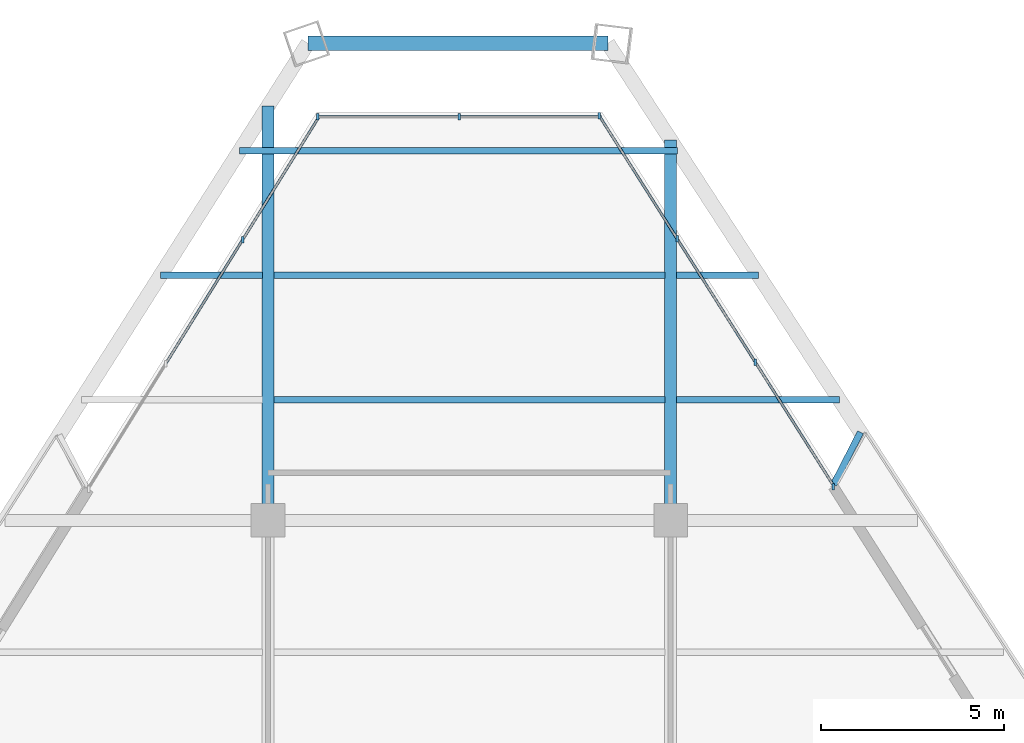
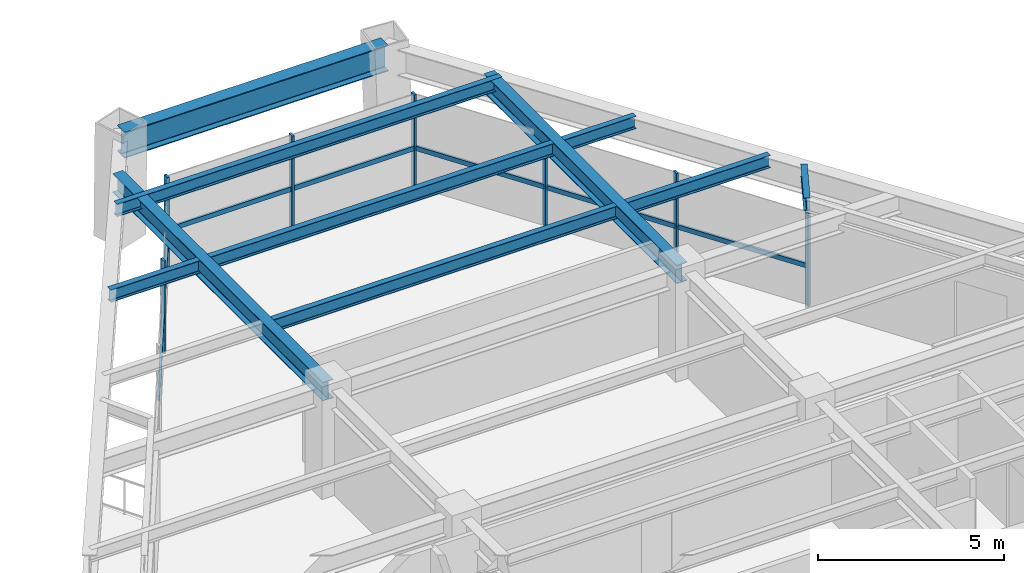
# One storey, part 9 of 15: 14 members, 10 beams, 3 elements without a shape of their own.
"""IFC4 building model written with IfcOpenShell, lengths in metres."""

from ifc_helpers import new_model, si_unit, direction, frame, origin, origin_2d, place, context, subcontext, project, spatial, rectangle, i_section, extrude, source, transform, mapped, material, material_profile, profile_set, type_object, element, aggregate, save


model = new_model("IFC4")

# Units and contexts
model_context = context("Model", 3, precision=1e-05, world=origin(), true_north=direction((0.0, 1.0)))
body_context = subcontext(model_context, "Body", "Model", "MODEL_VIEW")
ifc_project = project(units=[si_unit("LENGTHUNIT", "METRE"), si_unit("AREAUNIT", "SQUARE_METRE"), si_unit("VOLUMEUNIT", "CUBIC_METRE"), si_unit("PLANEANGLEUNIT", "RADIAN"), si_unit("MASSUNIT", "GRAM", prefix="KILO")], contexts=[model_context])

# Site, building, storey
site_placement = place(None, origin())
site = spatial("IfcSite", under=ifc_project, at=site_placement, CompositionType="ELEMENT")
building_placement = place(site_placement, origin())
building = spatial("IfcBuilding", under=site, at=building_placement, Name="Varnakhor Terracotta Tower", CompositionType="ELEMENT")
storey_placement = place(building_placement, frame((0.0, 0.0, 185.800048828125)))
storey = spatial("IfcBuildingStorey", under=building, at=storey_placement, Name="L47", CompositionType="ELEMENT", Elevation=185.800048828125)

# Beams
ifc_material_1 = material(Name="Steel S355", Category="steel")
ifc_material_profile_1 = material_profile(ifc_material_1, i_section(OverallWidth=0.179931640625, OverallDepth=0.4130859375, WebThickness=0.009765625, FlangeThickness=0.01611328125, FilletRadius=0.01806640625, at=origin_2d()), Name="W16X50")
ifc_profile_set_1 = profile_set([ifc_material_profile_1], Name="Steel S355")
beam_type_1 = type_object("IfcBeamType", Name="JST-W16X50", PredefinedType="JOIST", material=ifc_profile_set_1)
shared_shape_1 = source(origin(), body_context, "Body", "SweptSolid", [
    extrude(i_section(OverallWidth=0.179931640625, OverallDepth=0.4130859375, WebThickness=0.009765625, FlangeThickness=0.01611328125, FilletRadius=0.01806640625, at=origin_2d()), origin(), (0.0, 0.0, 1.0), 10.68310546875),
])
for number, where, z_axis, x_axis, name in (
    (1, (-5.341552734375, 34.800048828125, 3.263427734375), (1.0, 0.0, 0.0), (0.0, 1.0, 0.0), "L47 Composite Floor Joist 7-2"),
    (2, (-5.341552734375, 38.199951171875, 3.263427734375), (1.0, 0.0, 0.0), (0.0, 1.0, 0.0), "L47 Composite Floor Joist 8-2"),
):
    element("IfcBeam", number, at=place(storey_placement, frame(where, z_axis=z_axis, x_axis=x_axis)), inside=storey, type_object=beam_type_1, Name=name, PredefinedType="JOIST", context=body_context, shape_type="MappedRepresentation", body=[
        mapped(shared_shape_1, transform((0.0, 0.0, 0.0), scale=1.0)),
    ])
ifc_material_profile_2 = material_profile(ifc_material_1, i_section(OverallWidth=0.39990234375, OverallDepth=0.85498046875, WebThickness=0.01806640625, FlangeThickness=0.029052734375, FilletRadius=0.01806640625, at=origin_2d()), Name="W33X201")
ifc_profile_set_2 = profile_set([ifc_material_profile_2], Name="Steel S355")
beam_type_2 = type_object("IfcBeamType", Name="BM-W33X201", PredefinedType="BEAM", material=ifc_profile_set_2)
shared_shape_2 = source(origin(), body_context, "Body", "SweptSolid", [
    extrude(i_section(OverallWidth=0.39990234375, OverallDepth=0.85498046875, WebThickness=0.01806640625, FlangeThickness=0.029052734375, FilletRadius=0.01806640625, at=origin_2d()), origin(), (0.0, 0.0, 1.0), 8.19482421875),
])
beam_1_placement = place(storey_placement, frame((3.783203125, 44.53564453125, 3.04248046875), z_axis=(-1.0, 0.0, 0.0), x_axis=(0.0, -1.0, 0.0)))
element("IfcBeam", 3, at=beam_1_placement, inside=storey, type_object=beam_type_2, Name="L47 Perimeter Spandrel 5", PredefinedType="BEAM", context=body_context, shape_type="MappedRepresentation", body=[
    mapped(shared_shape_2, transform((0.0, 0.0, 0.0), scale=1.0)),
])
ifc_material_profile_3 = material_profile(ifc_material_1, i_section(OverallWidth=0.324951171875, OverallDepth=0.615966796875, WebThickness=0.013916015625, FlangeThickness=0.02197265625, FilletRadius=0.01806640625, at=origin_2d()), Name="W24X117")
ifc_profile_set_3 = profile_set([ifc_material_profile_3], Name="Steel S355")
beam_type_3 = type_object("IfcBeamType", Name="BM-W24X117", PredefinedType="BEAM", material=ifc_profile_set_3)
shared_shape_3 = source(origin(), body_context, "Body", "SweptSolid", [
    extrude(i_section(OverallWidth=0.324951171875, OverallDepth=0.615966796875, WebThickness=0.013916015625, FlangeThickness=0.02197265625, FilletRadius=0.01806640625, at=origin_2d()), origin(), (0.0, 0.0, 1.0), 11.32275390625),
])
beam_2_placement = place(storey_placement, frame((-5.5, 31.5, 3.161865234375), z_axis=(0.0, 1.0, 0.0), x_axis=(-1.0, 0.0, 0.0)))
element("IfcBeam", 4, at=beam_2_placement, inside=storey, type_object=beam_type_3, Name="L47 Primary Girder NS3-W", PredefinedType="BEAM", context=body_context, shape_type="MappedRepresentation", body=[
    mapped(shared_shape_3, transform((0.0, 0.0, 0.0), scale=1.0)),
])
shared_shape_4 = source(origin(), body_context, "Body", "SweptSolid", [
    extrude(i_section(OverallWidth=0.324951171875, OverallDepth=0.615966796875, WebThickness=0.013916015625, FlangeThickness=0.02197265625, FilletRadius=0.01806640625, at=origin_2d()), origin(), (0.0, 0.0, 1.0), 10.392578125),
])
beam_3_placement = place(storey_placement, frame((5.5, 31.5, 3.161865234375), z_axis=(0.0, 1.0, 0.0), x_axis=(-1.0, 0.0, 0.0)))
element("IfcBeam", 5, at=beam_3_placement, inside=storey, type_object=beam_type_3, Name="L47 Primary Girder NS3-E", PredefinedType="BEAM", context=body_context, shape_type="MappedRepresentation", body=[
    mapped(shared_shape_4, transform((0.0, 0.0, 0.0), scale=1.0)),
])
shared_shape_5 = source(origin(), body_context, "Body", "SweptSolid", [
    extrude(i_section(OverallWidth=0.179931640625, OverallDepth=0.4130859375, WebThickness=0.009765625, FlangeThickness=0.01611328125, FilletRadius=0.01806640625, at=origin_2d()), origin(), (0.0, 0.0, 1.0), 4.4482421875),
])
beam_4_placement = place(storey_placement, frame((5.658447265625, 34.800048828125, 3.263427734375), z_axis=(1.0, 0.0, 0.0), x_axis=(0.0, 1.0, 0.0)))
element("IfcBeam", 6, at=beam_4_placement, inside=storey, type_object=beam_type_1, Name="L47 Composite Floor Joist 7-3", PredefinedType="JOIST", context=body_context, shape_type="MappedRepresentation", body=[
    mapped(shared_shape_5, transform((0.0, 0.0, 0.0), scale=1.0)),
])
shared_shape_6 = source(origin(), body_context, "Body", "SweptSolid", [
    extrude(i_section(OverallWidth=0.179931640625, OverallDepth=0.4130859375, WebThickness=0.009765625, FlangeThickness=0.01611328125, FilletRadius=0.01806640625, at=origin_2d()), origin(), (0.0, 0.0, 1.0), 2.779052734375),
])
beam_5_placement = place(storey_placement, frame((-8.4375, 38.199951171875, 3.263427734375), z_axis=(1.0, 0.0, 0.0), x_axis=(0.0, 1.0, 0.0)))
element("IfcBeam", 7, at=beam_5_placement, inside=storey, type_object=beam_type_1, Name="L47 Composite Floor Joist 8-1", PredefinedType="JOIST", context=body_context, shape_type="MappedRepresentation", body=[
    mapped(shared_shape_6, transform((0.0, 0.0, 0.0), scale=1.0)),
])
shared_shape_7 = source(origin(), body_context, "Body", "SweptSolid", [
    extrude(i_section(OverallWidth=0.179931640625, OverallDepth=0.4130859375, WebThickness=0.009765625, FlangeThickness=0.01611328125, FilletRadius=0.01806640625, at=origin_2d()), origin(), (0.0, 0.0, 1.0), 2.23974609375),
])
beam_6_placement = place(storey_placement, frame((5.658447265625, 38.199951171875, 3.263427734375), z_axis=(1.0, 0.0, 0.0), x_axis=(0.0, 1.0, 0.0)))
element("IfcBeam", 8, at=beam_6_placement, inside=storey, type_object=beam_type_1, Name="L47 Composite Floor Joist 8-3", PredefinedType="JOIST", context=body_context, shape_type="MappedRepresentation", body=[
    mapped(shared_shape_7, transform((0.0, 0.0, 0.0), scale=1.0)),
])
shared_shape_8 = source(origin(), body_context, "Body", "SweptSolid", [
    extrude(i_section(OverallWidth=0.179931640625, OverallDepth=0.4130859375, WebThickness=0.009765625, FlangeThickness=0.01611328125, FilletRadius=0.01806640625, at=origin_2d()), origin(), (0.0, 0.0, 1.0), 11.967041015625),
])
beam_7_placement = place(storey_placement, frame((-6.277099609375, 41.60009765625, 3.263427734375), z_axis=(1.0, 0.0, 0.0), x_axis=(0.0, 1.0, 0.0)))
element("IfcBeam", 9, at=beam_7_placement, inside=storey, type_object=beam_type_1, Name="L47 Composite Floor Joist 9-1", PredefinedType="JOIST", context=body_context, shape_type="MappedRepresentation", body=[
    mapped(shared_shape_8, transform((0.0, 0.0, 0.0), scale=1.0)),
])
ifc_material_profile_4 = material_profile(ifc_material_1, i_section(OverallWidth=0.179931640625, OverallDepth=0.39990234375, WebThickness=0.008544921875, FlangeThickness=0.013427734375, FilletRadius=0.01806640625, at=origin_2d()), Name="IPE400")
ifc_profile_set_4 = profile_set([ifc_material_profile_4], Name="Steel S355")
beam_type_4 = type_object("IfcBeamType", Name="JST-IPE400", PredefinedType="JOIST", material=ifc_profile_set_4)
shared_shape_9 = source(origin(), body_context, "Body", "SweptSolid", [
    extrude(i_section(OverallWidth=0.179931640625, OverallDepth=0.39990234375, WebThickness=0.008544921875, FlangeThickness=0.013427734375, FilletRadius=0.01806640625, at=origin_2d()), origin(), (0.0, 0.0, 1.0), 1.609375),
])
beam_8_placement = place(storey_placement, frame((9.951416015625, 32.4755859375, 3.27001953125), z_axis=(0.456593793569, 0.889675282153, 0.0), x_axis=(-0.889675282153, 0.456593793569, 0.0)))
element("IfcBeam", 10, at=beam_8_placement, inside=storey, type_object=beam_type_4, Name="L48 E Loggia Tie Beam 1", PredefinedType="JOIST", context=body_context, shape_type="MappedRepresentation", body=[
    mapped(shared_shape_9, transform((0.0, 0.0, 0.0), scale=1.0)),
])

# Curtain wall, member
ifc_material_2 = material(Name="Anodised Aluminium Curtain Wall System", Category="aluminium")
curtain_wall_type = type_object("IfcCurtainWallType", Name="CW-SYS-MID-OFFICE", PredefinedType="NOTDEFINED", material=ifc_material_2)
curtain_wall_1_placement = place(storey_placement, origin())
curtain_wall_1 = element("IfcCurtainWall", 11, at=curtain_wall_1_placement, inside=storey, type_object=curtain_wall_type, Name="L47 W Facet Curtain Wall 2", PredefinedType="NOTDEFINED")
ifc_material_3 = material(Name="Anodised Aluminium 6063-T6", Category="aluminium")
ifc_material_profile_5 = material_profile(ifc_material_3, rectangle(XDim=0.070068359375, YDim=0.175048828125, at=origin_2d()), Name="ALU MULLION 70x175")
ifc_profile_set_5 = profile_set([ifc_material_profile_5], Name="Anodised Aluminium 6063-T6")
member_type_1 = type_object("IfcMemberType", Name="CWM-03", PredefinedType="MULLION", material=ifc_profile_set_5)
shared_shape_10 = source(origin(), body_context, "Body", "SweptSolid", [
    extrude(rectangle(XDim=0.070068359375, YDim=0.175048828125, at=origin_2d()), origin(), (0.0, 0.0, 1.0), 3.050048828125),
])
member_1_placement = place(storey_placement, frame((-6.195556640625, 39.164794921875, 0.0), z_axis=(0.0, 0.0, 1.0), x_axis=(1.0, 0.0, 0.0)))
member_1 = element("IfcMember", 12, at=member_1_placement, type_object=member_type_1, Name="L47 W Facet Curtain Wall 2 Mullion 3", PredefinedType="MULLION", context=body_context, shape_type="MappedRepresentation", body=[
    mapped(shared_shape_10, transform((0.0, 0.0, 0.0), scale=1.0)),
])

# Curtain wall, members
curtain_wall_2_placement = place(storey_placement, origin())
curtain_wall_2 = element("IfcCurtainWall", 13, at=curtain_wall_2_placement, inside=storey, type_object=curtain_wall_type, Name="L47 Facet Curtain Wall 2", PredefinedType="NOTDEFINED")
member_2_placement = place(storey_placement, frame((-4.1474609375, 42.523681640625, 0.0), z_axis=(0.0, 0.0, 1.0), x_axis=(1.0, 0.0, 0.0)))
member_2 = element("IfcMember", 14, at=member_2_placement, type_object=member_type_1, Name="L47 Facet Curtain Wall 2 Mullion 1", PredefinedType="MULLION", context=body_context, shape_type="MappedRepresentation", body=[
    mapped(shared_shape_10, transform((0.0, 0.0, 0.0), scale=1.0)),
])
member_3_placement = place(storey_placement, frame((-0.272216796875, 42.523681640625, 0.0), z_axis=(0.0, 0.0, 1.0), x_axis=(1.0, 0.0, 0.0)))
member_3 = element("IfcMember", 15, at=member_3_placement, type_object=member_type_1, Name="L47 Facet Curtain Wall 2 Mullion 2", PredefinedType="MULLION", context=body_context, shape_type="MappedRepresentation", body=[
    mapped(shared_shape_10, transform((0.0, 0.0, 0.0), scale=1.0)),
])

curtain_wall_3_placement = place(storey_placement, origin())
curtain_wall_3 = element("IfcCurtainWall", 16, at=curtain_wall_3_placement, inside=storey, type_object=curtain_wall_type, Name="L47 E Facet Curtain Wall 1", PredefinedType="NOTDEFINED")
member_4_placement = place(storey_placement, frame((3.548095703125, 42.55419921875, 0.0), z_axis=(0.0, 0.0, 1.0), x_axis=(1.0, 0.0, 0.0)))
member_4 = element("IfcMember", 17, at=member_4_placement, type_object=member_type_1, Name="L47 E Facet Curtain Wall 1 Mullion 1", PredefinedType="MULLION", context=body_context, shape_type="MappedRepresentation", body=[
    mapped(shared_shape_10, transform((0.0, 0.0, 0.0), scale=1.0)),
])
member_5_placement = place(storey_placement, frame((5.679931640625, 39.188720703125, 0.0), z_axis=(0.0, 0.0, 1.0), x_axis=(1.0, 0.0, 0.0)))
member_5 = element("IfcMember", 18, at=member_5_placement, type_object=member_type_1, Name="L47 E Facet Curtain Wall 1 Mullion 2", PredefinedType="MULLION", context=body_context, shape_type="MappedRepresentation", body=[
    mapped(shared_shape_10, transform((0.0, 0.0, 0.0), scale=1.0)),
])
member_6_placement = place(storey_placement, frame((7.811767578125, 35.8232421875, 0.0), z_axis=(0.0, 0.0, 1.0), x_axis=(1.0, 0.0, 0.0)))
member_6 = element("IfcMember", 19, at=member_6_placement, type_object=member_type_1, Name="L47 E Facet Curtain Wall 1 Mullion 3", PredefinedType="MULLION", context=body_context, shape_type="MappedRepresentation", body=[
    mapped(shared_shape_10, transform((0.0, 0.0, 0.0), scale=1.0)),
])
member_7_placement = place(storey_placement, frame((9.94287109375, 32.421875, 0.0), z_axis=(0.0, 0.0, 1.0), x_axis=(1.0, 0.0, 0.0)))
member_7 = element("IfcMember", 20, at=member_7_placement, type_object=member_type_1, Name="L47 E Loggia Jamb Closure Mullion 1", PredefinedType="MULLION", context=body_context, shape_type="MappedRepresentation", body=[
    mapped(shared_shape_10, transform((0.0, 0.0, 0.0), scale=1.0)),
])

# Member
ifc_material_profile_6 = material_profile(ifc_material_3, rectangle(XDim=0.070068359375, YDim=0.155029296875, at=origin_2d()), Name="ALU TRANSOM 70x155")
ifc_profile_set_6 = profile_set([ifc_material_profile_6], Name="Anodised Aluminium 6063-T6")
member_type_2 = type_object("IfcMemberType", Name="CWT-03", PredefinedType="USERDEFINED", material=ifc_profile_set_6)
shared_shape_11 = source(origin(), body_context, "Body", "SweptSolid", [
    extrude(rectangle(XDim=0.070068359375, YDim=0.155029296875, at=origin_2d()), origin(), (0.0, 0.0, 1.0), 3.989990234375),
])
member_8_placement = place(storey_placement, frame((-8.2998046875, 35.774658203125, 1.281005859375), z_axis=(0.527367431071, 0.849637330068, 0.0), x_axis=(-0.849637330068, 0.527367431071, 0.0)))
member_8 = element("IfcMember", 21, at=member_8_placement, type_object=member_type_2, Name="L47 W Facet Curtain Wall 2 Transom 2", ObjectType="TRANSOM", PredefinedType="USERDEFINED", context=body_context, shape_type="MappedRepresentation", body=[
    mapped(shared_shape_11, transform((0.0, 0.0, 0.0), scale=1.0)),
])

member_9_placement = place(storey_placement, frame((-6.195556640625, 39.164794921875, 1.281005859375), z_axis=(0.527367431071, 0.849637330068, 0.0), x_axis=(-0.849637330068, 0.527367431071, 0.0)))
member_9 = element("IfcMember", 22, at=member_9_placement, type_object=member_type_2, Name="L47 W Facet Curtain Wall 2 Transom 3", ObjectType="TRANSOM", PredefinedType="USERDEFINED", context=body_context, shape_type="MappedRepresentation", body=[
    mapped(shared_shape_11, transform((0.0, 0.0, 0.0), scale=1.0)),
])

aggregate(curtain_wall_1, [member_8, member_1, member_9])

shared_shape_12 = source(origin(), body_context, "Body", "SweptSolid", [
    extrude(rectangle(XDim=0.070068359375, YDim=0.155029296875, at=origin_2d()), origin(), (0.0, 0.0, 1.0), 3.875244140625),
])
member_10_placement = place(storey_placement, frame((-4.1474609375, 42.523681640625, 1.281005859375), z_axis=(1.0, 0.0, 0.0), x_axis=(0.0, 1.0, 0.0)))
member_10 = element("IfcMember", 23, at=member_10_placement, type_object=member_type_2, Name="L47 Facet Curtain Wall 2 Transom 1", ObjectType="TRANSOM", PredefinedType="USERDEFINED", context=body_context, shape_type="MappedRepresentation", body=[
    mapped(shared_shape_12, transform((0.0, 0.0, 0.0), scale=1.0)),
])

shared_shape_13 = source(origin(), body_context, "Body", "SweptSolid", [
    extrude(rectangle(XDim=0.070068359375, YDim=0.155029296875, at=origin_2d()), origin(), (0.0, 0.0, 1.0), 3.87548828125),
])
member_11_placement = place(storey_placement, frame((-0.272216796875, 42.523681640625, 1.281005859375), z_axis=(1.0, 0.0, 0.0), x_axis=(0.0, 1.0, 0.0)))
member_11 = element("IfcMember", 24, at=member_11_placement, type_object=member_type_2, Name="L47 Facet Curtain Wall 2 Transom 2", ObjectType="TRANSOM", PredefinedType="USERDEFINED", context=body_context, shape_type="MappedRepresentation", body=[
    mapped(shared_shape_13, transform((0.0, 0.0, 0.0), scale=1.0)),
])

aggregate(curtain_wall_2, [member_2, member_10, member_3, member_11])

shared_shape_14 = source(origin(), body_context, "Body", "SweptSolid", [
    extrude(rectangle(XDim=0.070068359375, YDim=0.155029296875, at=origin_2d()), origin(), (0.0, 0.0, 1.0), 3.98388671875),
])
member_12_placement = place(storey_placement, frame((3.548095703125, 42.55419921875, 1.281005859375), z_axis=(0.535117687188, -0.844777521516, 0.0), x_axis=(0.844777521516, 0.535117687188, 0.0)))
member_12 = element("IfcMember", 25, at=member_12_placement, type_object=member_type_2, Name="L47 E Facet Curtain Wall 1 Transom 1", ObjectType="TRANSOM", PredefinedType="USERDEFINED", context=body_context, shape_type="MappedRepresentation", body=[
    mapped(shared_shape_14, transform((0.0, 0.0, 0.0), scale=1.0)),
])

member_13_placement = place(storey_placement, frame((5.679931640625, 39.188720703125, 1.281005859375), z_axis=(0.535117687188, -0.844777521516, 0.0), x_axis=(0.844777521516, 0.535117687188, 0.0)))
member_13 = element("IfcMember", 26, at=member_13_placement, type_object=member_type_2, Name="L47 E Facet Curtain Wall 1 Transom 2", ObjectType="TRANSOM", PredefinedType="USERDEFINED", context=body_context, shape_type="MappedRepresentation", body=[
    mapped(shared_shape_14, transform((0.0, 0.0, 0.0), scale=1.0)),
])

shared_shape_15 = source(origin(), body_context, "Body", "SweptSolid", [
    extrude(rectangle(XDim=0.070068359375, YDim=0.155029296875, at=origin_2d()), origin(), (0.0, 0.0, 1.0), 3.983642578125),
])
member_14_placement = place(storey_placement, frame((7.811767578125, 35.8232421875, 1.281005859375), z_axis=(0.535145391362, -0.844759971888, 0.0), x_axis=(0.844759971888, 0.535145391362, 0.0)))
member_14 = element("IfcMember", 27, at=member_14_placement, type_object=member_type_2, Name="L47 E Facet Curtain Wall 1 Transom 3", ObjectType="TRANSOM", PredefinedType="USERDEFINED", context=body_context, shape_type="MappedRepresentation", body=[
    mapped(shared_shape_15, transform((0.0, 0.0, 0.0), scale=1.0)),
])

aggregate(curtain_wall_3, [member_4, member_12, member_5, member_13, member_6, member_14, member_7])

save(model, "model.ifc")
